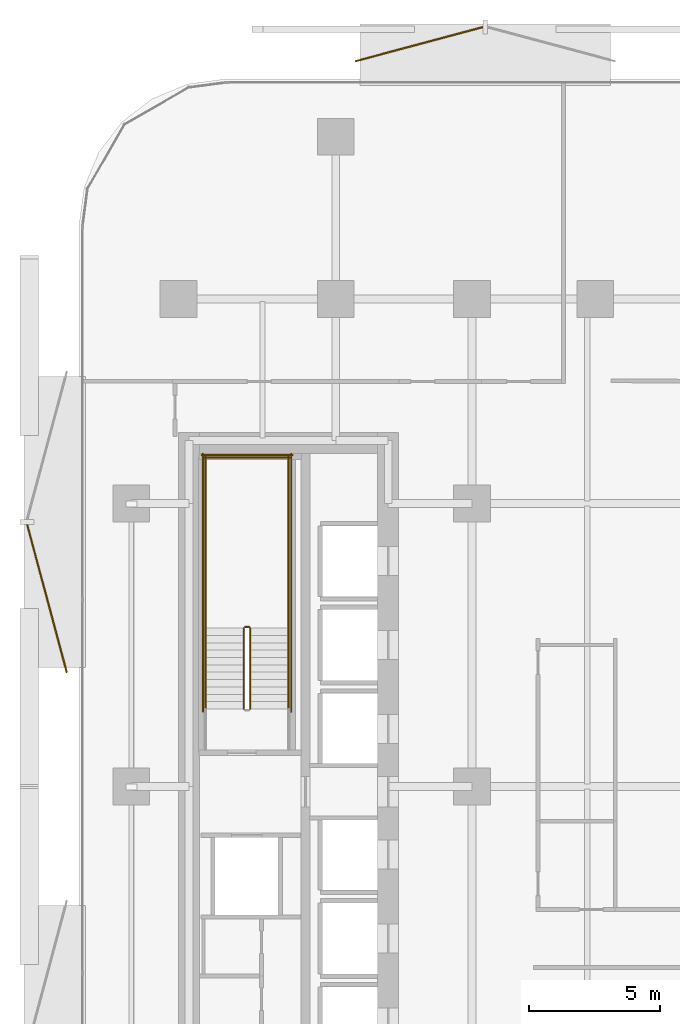
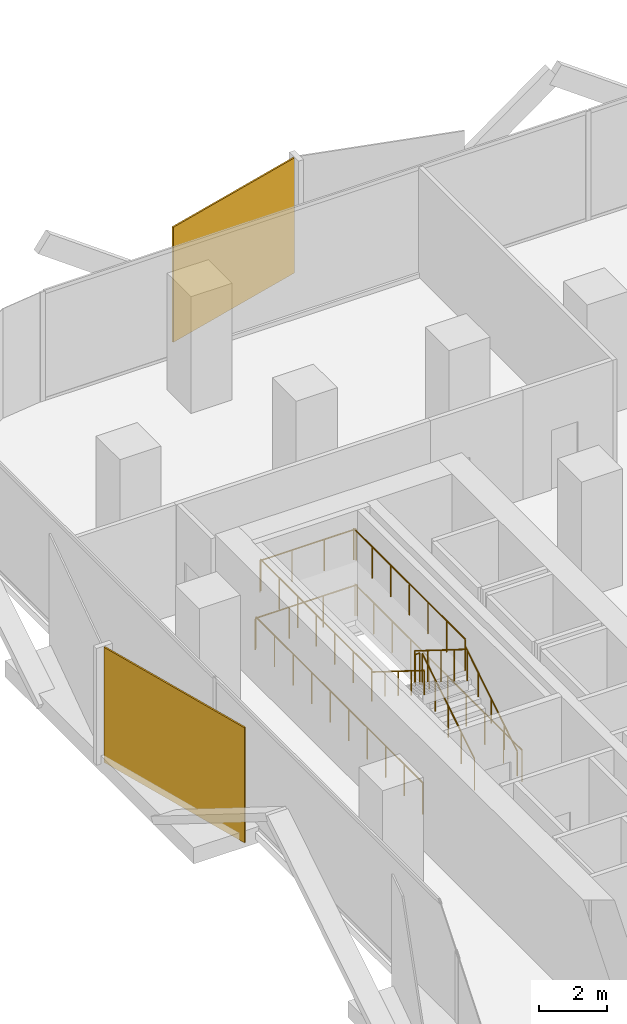
# One storey, part 14 of 15: 11 railings, 2 coverings.
"""IFC4 building model written with IfcOpenShell, lengths in metres."""

from ifc_helpers import new_model, si_unit, direction, frame, origin, origin_2d, place, context, subcontext, project, spatial, rectangle, circle, extrude, material, layer, layer_set, type_object, element, save


model = new_model("IFC4")

# Units and contexts
model_context = context("Model", 3, precision=1e-05, world=origin(), true_north=direction((0.0, 1.0)))
body_context = subcontext(model_context, "Body", "Model", "MODEL_VIEW")
ifc_project = project(units=[si_unit("LENGTHUNIT", "METRE"), si_unit("AREAUNIT", "SQUARE_METRE"), si_unit("VOLUMEUNIT", "CUBIC_METRE"), si_unit("PLANEANGLEUNIT", "RADIAN"), si_unit("MASSUNIT", "GRAM", prefix="KILO")], contexts=[model_context])

# Site, building, storey
site_placement = place(None, origin())
site = spatial("IfcSite", under=ifc_project, at=site_placement, CompositionType="ELEMENT")
building_placement = place(site_placement, origin())
building = spatial("IfcBuilding", under=site, at=building_placement, Name="Khairoan Windgate Tower", CompositionType="ELEMENT")
storey_placement = place(building_placement, frame((0.0, 0.0, 72.199951171875)))
storey = spatial("IfcBuildingStorey", under=building, at=storey_placement, Name="L17", CompositionType="ELEMENT", Elevation=72.199951171875)

# Coverings
ifc_material_1 = material(Name="Anodised Bronze Aluminium 6063-T6", Category="aluminium")
ifc_layer = layer(ifc_material_1, 0.054931640625, Name="Anodised Bronze Aluminium 6063-T6")
ifc_layer_set = layer_set([ifc_layer], Name="Anodised Bronze Aluminium 6063-T6")
covering_type = type_object("IfcCoveringType", Name="Perforated Bronze-Ceramic Folded Solar Screen Cladding BSC-1", PredefinedType="CLADDING", material=ifc_layer_set)
covering_1_placement = place(storey_placement, frame((-25.42236328125, 7.177734375, -0.10009765625), z_axis=(0.0, 0.0, 1.0), x_axis=(-0.258819045103, 0.965925826289, 0.0)))
element("IfcCovering", 1, at=covering_1_placement, inside=storey, type_object=covering_type, Name="L17 Folded Bronze Solar Screen Facet 92L", PredefinedType="CLADDING", context=body_context, shape_type="SweptSolid", body=[
    extrude(rectangle(XDim=5.85498046875, YDim=0.054931640625, at=origin_2d()), origin(), (0.0, 0.0, 1.0), 4.139892578125),
])
covering_2_placement = place(storey_placement, frame((-11.220947265625, 28.327392578125, -0.10009765625), z_axis=(0.0, 0.0, 1.0), x_axis=(0.965925826289, 0.258819045103, 0.0)))
element("IfcCovering", 2, at=covering_2_placement, inside=storey, type_object=covering_type, Name="L17 Folded Bronze Solar Screen Facet 93L", PredefinedType="CLADDING", context=body_context, shape_type="SweptSolid", body=[
    extrude(rectangle(XDim=5.04296875, YDim=0.054931640625, at=origin_2d()), origin(), (0.0, 0.0, 1.0), 4.139892578125),
])

# Railings
ifc_material_2 = material(Name="Anodised Bronze Aluminium 6063-T6", Category="aluminium")
railing_type_1 = type_object("IfcRailingType", Name="Stair Wall Handrail SHR-900", PredefinedType="HANDRAIL", material=ifc_material_2)
railing_1_placement = place(storey_placement, frame((-16.199951171875, 2.9599609375, 0.175048828125)))
element("IfcRailing", 3, at=railing_1_placement, inside=storey, type_object=railing_type_1, Name="L17 ST2 stair handrail 1", PredefinedType="HANDRAIL", context=body_context, shape_type="SweptSolid", body=[
    extrude(circle(Radius=0.02392578125, at=origin_2d()), frame((0.0, 0.0, 0.8759765625), z_axis=(0.0, 0.847998304005, 0.529998940003), x_axis=(-1.0, 0.0, 0.0)), (0.0, 0.0, 1.0), 3.632080078125),
    extrude(circle(Radius=0.02099609375, at=origin_2d()), origin(), (0.0, 0.0, 1.0), 0.851806640625),
    extrude(circle(Radius=0.02099609375, at=origin_2d()), frame((0.0, 0.77001953125, 0.481201171875)), (0.0, 0.0, 1.0), 0.851806640625),
    extrude(circle(Radius=0.02099609375, at=origin_2d()), frame((0.0, 1.5400390625, 0.96240234375)), (0.0, 0.0, 1.0), 0.851806640625),
    extrude(circle(Radius=0.02099609375, at=origin_2d()), frame((0.0, 2.31005859375, 1.44384765625)), (0.0, 0.0, 1.0), 0.851806640625),
    extrude(circle(Radius=0.02099609375, at=origin_2d()), frame((0.0, 3.080078125, 1.925048828125)), (0.0, 0.0, 1.0), 0.851806640625),
])
railing_2_placement = place(storey_placement, frame((-19.3701171875, 6.0400390625, 2.275146484375)))
element("IfcRailing", 4, at=railing_2_placement, inside=storey, type_object=railing_type_1, Name="L17 ST2 stair handrail 2", PredefinedType="HANDRAIL", context=body_context, shape_type="SweptSolid", body=[
    extrude(circle(Radius=0.02392578125, at=origin_2d()), frame((0.0, 0.0, 0.8759765625), z_axis=(0.0, -0.848028513186, 0.529950602248), x_axis=(1.0, 0.0, 0.0)), (0.0, 0.0, 1.0), 3.632080078125),
    extrude(circle(Radius=0.02099609375, at=origin_2d()), origin(), (0.0, 0.0, 1.0), 0.851806640625),
    extrude(circle(Radius=0.02099609375, at=origin_2d()), frame((0.0, -0.77001953125, 0.481201171875)), (0.0, 0.0, 1.0), 0.851806640625),
    extrude(circle(Radius=0.02099609375, at=origin_2d()), frame((0.0, -1.5400390625, 0.96240234375)), (0.0, 0.0, 1.0), 0.851806640625),
    extrude(circle(Radius=0.02099609375, at=origin_2d()), frame((0.0, -2.31005859375, 1.443603515625)), (0.0, 0.0, 1.0), 0.851806640625),
    extrude(circle(Radius=0.02099609375, at=origin_2d()), frame((0.0, -3.080078125, 1.9248046875)), (0.0, 0.0, 1.0), 0.851806640625),
])
ifc_material_3 = material(Name="Steel S355", Category="steel")
railing_type_2 = type_object("IfcRailingType", Name="Stairwell Safety Guardrail SGR-1150", PredefinedType="GUARDRAIL", material=ifc_material_3)
railing_3_placement = place(storey_placement, frame((-17.659912109375, 2.9599609375, 0.175048828125)))
element("IfcRailing", 5, at=railing_3_placement, inside=storey, type_object=railing_type_2, Name="L17 ST2 stair guard 1", PredefinedType="GUARDRAIL", context=body_context, shape_type="SweptSolid", body=[
    extrude(circle(Radius=0.02392578125, at=origin_2d()), frame((0.0, 0.0, 1.1259765625), z_axis=(0.0, 0.847998304005, 0.529998940003), x_axis=(-1.0, 0.0, 0.0)), (0.0, 0.0, 1.0), 3.632080078125),
    extrude(circle(Radius=0.02099609375, at=origin_2d()), origin(), (0.0, 0.0, 1.0), 1.101806640625),
    extrude(circle(Radius=0.02099609375, at=origin_2d()), frame((0.0, 0.77001953125, 0.481201171875)), (0.0, 0.0, 1.0), 1.101806640625),
    extrude(circle(Radius=0.02099609375, at=origin_2d()), frame((0.0, 1.5400390625, 0.96240234375)), (0.0, 0.0, 1.0), 1.101806640625),
    extrude(circle(Radius=0.02099609375, at=origin_2d()), frame((0.0, 2.31005859375, 1.44384765625)), (0.0, 0.0, 1.0), 1.101806640625),
    extrude(circle(Radius=0.02099609375, at=origin_2d()), frame((0.0, 3.080078125, 1.925048828125)), (0.0, 0.0, 1.0), 1.101806640625),
])
railing_4_placement = place(storey_placement, frame((-17.7099609375, 6.090087890625, 2.10009765625)))
element("IfcRailing", 6, at=railing_4_placement, inside=storey, type_object=railing_type_2, Name="L17 ST2 stair guard 2", PredefinedType="GUARDRAIL", context=body_context, shape_type="SweptSolid", body=[
    extrude(circle(Radius=0.02392578125, at=origin_2d()), frame((0.0, 0.0, 1.1259765625), z_axis=(-1.0, 0.0, 0.0), x_axis=(0.0, -1.0, 0.0)), (0.0, 0.0, 1.0), 0.150146484375),
    extrude(circle(Radius=0.02099609375, at=origin_2d()), origin(), (0.0, 0.0, 1.0), 1.101806640625),
    extrude(circle(Radius=0.02099609375, at=origin_2d()), frame((-0.150146484375, 0.0, 0.0)), (0.0, 0.0, 1.0), 1.101806640625),
])
for number, where, name in (
    (7, (-16.199951171875, 6.0400390625, 2.10009765625), "L17 ST2 stair guard 3"),
    (8, (-19.3701171875, 6.0400390625, 2.10009765625), "L17 ST2 stair guard 4"),
):
    element("IfcRailing", number, at=place(storey_placement, frame(where)), inside=storey, type_object=railing_type_2, Name=name, PredefinedType="GUARDRAIL", context=body_context, shape_type="SweptSolid", body=[
        extrude(circle(Radius=0.02392578125, at=origin_2d()), frame((0.0, 0.0, 1.1259765625), z_axis=(0.0, 1.0, 0.0), x_axis=(-1.0, 0.0, 0.0)), (0.0, 0.0, 1.0), 6.56005859375),
        extrude(circle(Radius=0.02099609375, at=origin_2d()), origin(), (0.0, 0.0, 1.0), 1.101806640625),
        extrude(circle(Radius=0.02099609375, at=origin_2d()), frame((0.0, 1.09326171875, 0.0)), (0.0, 0.0, 1.0), 1.101806640625),
        extrude(circle(Radius=0.02099609375, at=origin_2d()), frame((0.0, 2.186767578125, 0.0)), (0.0, 0.0, 1.0), 1.101806640625),
        extrude(circle(Radius=0.02099609375, at=origin_2d()), frame((0.0, 3.280029296875, 0.0)), (0.0, 0.0, 1.0), 1.101806640625),
        extrude(circle(Radius=0.02099609375, at=origin_2d()), frame((0.0, 4.373291015625, 0.0)), (0.0, 0.0, 1.0), 1.101806640625),
        extrude(circle(Radius=0.02099609375, at=origin_2d()), frame((0.0, 5.466796875, 0.0)), (0.0, 0.0, 1.0), 1.101806640625),
        extrude(circle(Radius=0.02099609375, at=origin_2d()), frame((0.0, 6.56005859375, 0.0)), (0.0, 0.0, 1.0), 1.101806640625),
    ])
railing_5_placement = place(storey_placement, frame((-16.14990234375, 12.550048828125, 2.10009765625)))
element("IfcRailing", 9, at=railing_5_placement, inside=storey, type_object=railing_type_2, Name="L17 ST2 stair guard 5", PredefinedType="GUARDRAIL", context=body_context, shape_type="SweptSolid", body=[
    extrude(circle(Radius=0.02392578125, at=origin_2d()), frame((0.0, 0.0, 1.1259765625), z_axis=(-1.0, 0.0, 0.0), x_axis=(0.0, -1.0, 0.0)), (0.0, 0.0, 1.0), 3.27001953125),
    extrude(circle(Radius=0.02099609375, at=origin_2d()), origin(), (0.0, 0.0, 1.0), 1.101806640625),
    extrude(circle(Radius=0.02099609375, at=origin_2d()), frame((-1.090087890625, 0.0, 0.0)), (0.0, 0.0, 1.0), 1.101806640625),
    extrude(circle(Radius=0.02099609375, at=origin_2d()), frame((-2.179931640625, 0.0, 0.0)), (0.0, 0.0, 1.0), 1.101806640625),
    extrude(circle(Radius=0.02099609375, at=origin_2d()), frame((-3.27001953125, 0.0, 0.0)), (0.0, 0.0, 1.0), 1.101806640625),
])
railing_6_placement = place(storey_placement, frame((-17.909912109375, 6.0400390625, 2.275146484375)))
element("IfcRailing", 10, at=railing_6_placement, inside=storey, type_object=railing_type_2, Name="L17 ST2 stair guard 6", PredefinedType="GUARDRAIL", context=body_context, shape_type="SweptSolid", body=[
    extrude(circle(Radius=0.02392578125, at=origin_2d()), frame((0.0, 0.0, 1.1259765625), z_axis=(0.0, -0.848028513186, 0.529950602248), x_axis=(1.0, 0.0, 0.0)), (0.0, 0.0, 1.0), 3.632080078125),
    extrude(circle(Radius=0.02099609375, at=origin_2d()), origin(), (0.0, 0.0, 1.0), 1.101806640625),
    extrude(circle(Radius=0.02099609375, at=origin_2d()), frame((0.0, -0.77001953125, 0.481201171875)), (0.0, 0.0, 1.0), 1.101806640625),
    extrude(circle(Radius=0.02099609375, at=origin_2d()), frame((0.0, -1.5400390625, 0.96240234375)), (0.0, 0.0, 1.0), 1.101806640625),
    extrude(circle(Radius=0.02099609375, at=origin_2d()), frame((0.0, -2.31005859375, 1.443603515625)), (0.0, 0.0, 1.0), 1.101806640625),
    extrude(circle(Radius=0.02099609375, at=origin_2d()), frame((0.0, -3.080078125, 1.9248046875)), (0.0, 0.0, 1.0), 1.101806640625),
])
for number, where, name in (
    (11, (-16.10009765625, 2.860107421875, 0.0), "L17 ST2 stair guard 10"),
    (12, (-19.469970703125, 2.860107421875, 0.0), "L17 ST2 stair guard 11"),
):
    element("IfcRailing", number, at=place(storey_placement, frame(where)), inside=storey, type_object=railing_type_2, Name=name, PredefinedType="GUARDRAIL", context=body_context, shape_type="SweptSolid", body=[
        extrude(circle(Radius=0.02392578125, at=origin_2d()), frame((0.0, 0.0, 1.1259765625), z_axis=(0.0, 1.0, 0.0), x_axis=(-1.0, 0.0, 0.0)), (0.0, 0.0, 1.0), 9.83984375),
        extrude(circle(Radius=0.02099609375, at=origin_2d()), origin(), (0.0, 0.0, 1.0), 1.101806640625),
        extrude(circle(Radius=0.02099609375, at=origin_2d()), frame((0.0, 1.09326171875, 0.0)), (0.0, 0.0, 1.0), 1.101806640625),
        extrude(circle(Radius=0.02099609375, at=origin_2d()), frame((0.0, 2.1865234375, 0.0)), (0.0, 0.0, 1.0), 1.101806640625),
        extrude(circle(Radius=0.02099609375, at=origin_2d()), frame((0.0, 3.280029296875, 0.0)), (0.0, 0.0, 1.0), 1.101806640625),
        extrude(circle(Radius=0.02099609375, at=origin_2d()), frame((0.0, 4.373291015625, 0.0)), (0.0, 0.0, 1.0), 1.101806640625),
        extrude(circle(Radius=0.02099609375, at=origin_2d()), frame((0.0, 5.466552734375, 0.0)), (0.0, 0.0, 1.0), 1.101806640625),
        extrude(circle(Radius=0.02099609375, at=origin_2d()), frame((0.0, 6.559814453125, 0.0)), (0.0, 0.0, 1.0), 1.101806640625),
        extrude(circle(Radius=0.02099609375, at=origin_2d()), frame((0.0, 7.6533203125, 0.0)), (0.0, 0.0, 1.0), 1.101806640625),
        extrude(circle(Radius=0.02099609375, at=origin_2d()), frame((0.0, 8.74658203125, 0.0)), (0.0, 0.0, 1.0), 1.101806640625),
        extrude(circle(Radius=0.02099609375, at=origin_2d()), frame((0.0, 9.83984375, 0.0)), (0.0, 0.0, 1.0), 1.101806640625),
    ])
railing_7_placement = place(storey_placement, frame((-16.050048828125, 12.64990234375, 0.0)))
element("IfcRailing", 13, at=railing_7_placement, inside=storey, type_object=railing_type_2, Name="L17 ST2 stair guard 12", PredefinedType="GUARDRAIL", context=body_context, shape_type="SweptSolid", body=[
    extrude(circle(Radius=0.02392578125, at=origin_2d()), frame((0.0, 0.0, 1.1259765625), z_axis=(-1.0, 0.0, 0.0), x_axis=(0.0, -1.0, 0.0)), (0.0, 0.0, 1.0), 3.469970703125),
    extrude(circle(Radius=0.02099609375, at=origin_2d()), origin(), (0.0, 0.0, 1.0), 1.101806640625),
    extrude(circle(Radius=0.02099609375, at=origin_2d()), frame((-1.15673828125, 0.0, 0.0)), (0.0, 0.0, 1.0), 1.101806640625),
    extrude(circle(Radius=0.02099609375, at=origin_2d()), frame((-2.313232421875, 0.0, 0.0)), (0.0, 0.0, 1.0), 1.101806640625),
    extrude(circle(Radius=0.02099609375, at=origin_2d()), frame((-3.469970703125, 0.0, 0.0)), (0.0, 0.0, 1.0), 1.101806640625),
])

save(model, "model.ifc")
